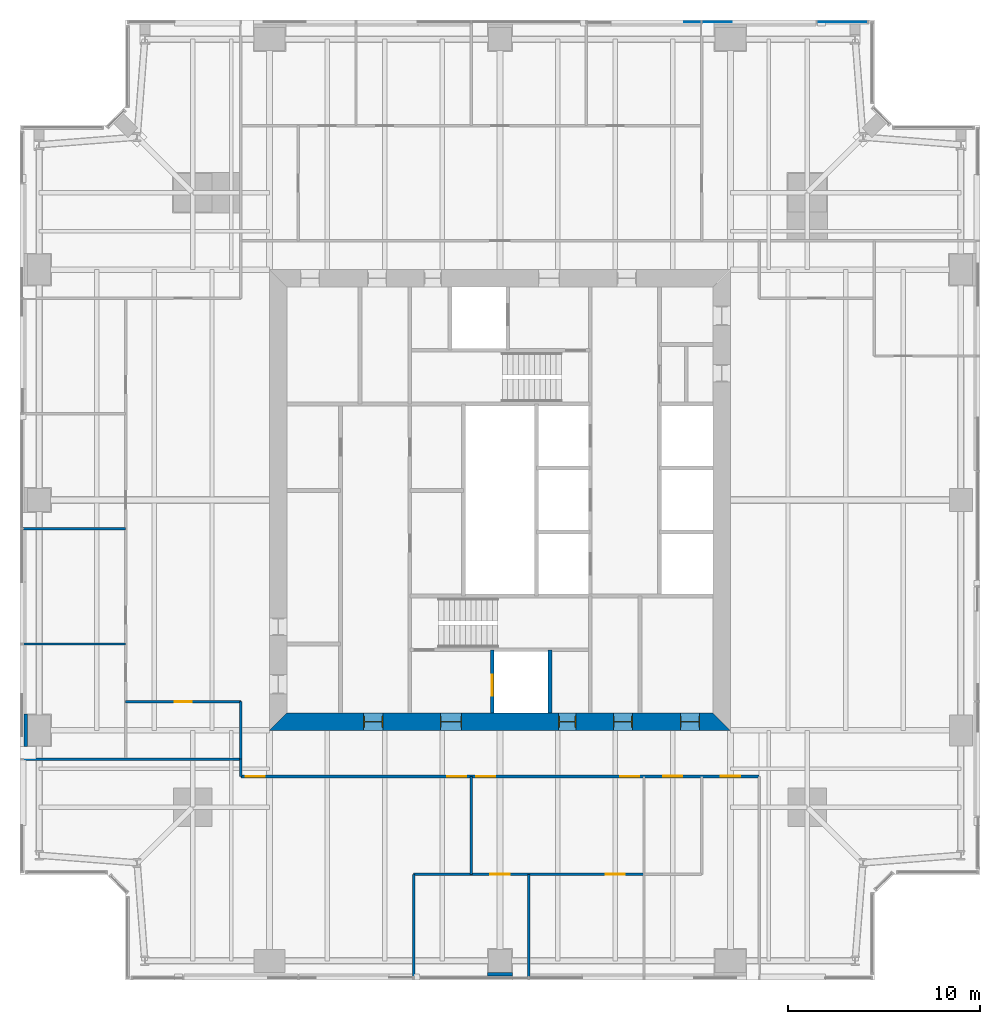
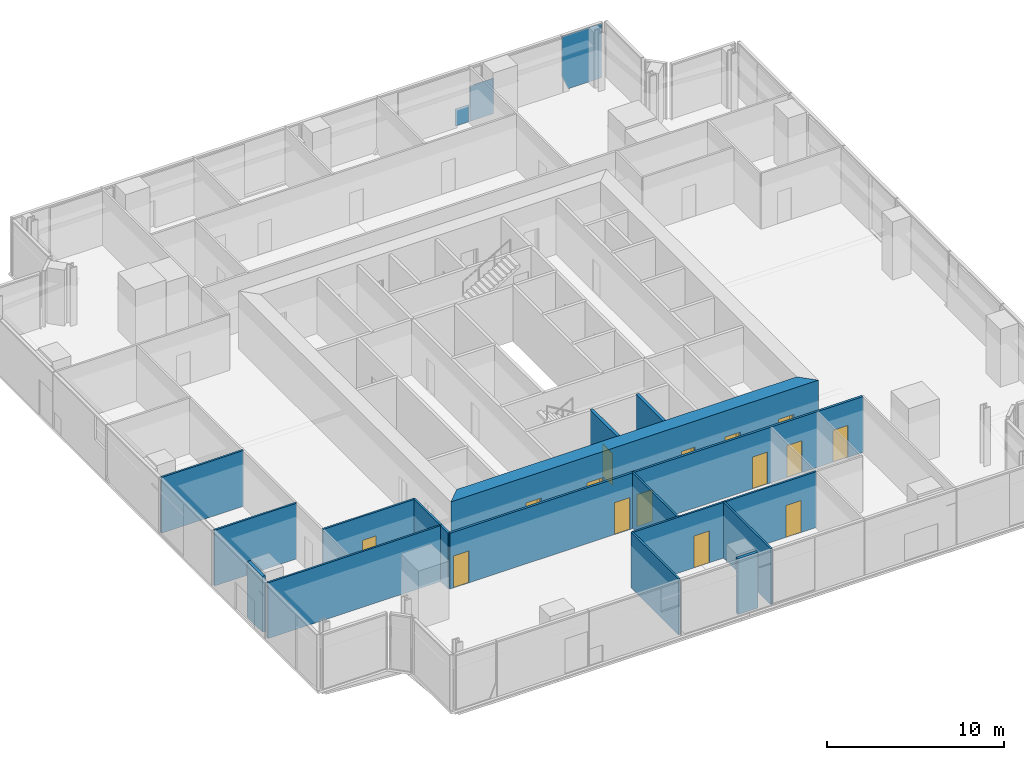
# One storey, part 9 of 14: 16 walls, 15 doors, 3 plates, 15 openings, 1 element without a shape of its own.
"""IFC4 building model written with IfcOpenShell, lengths in metres."""

from ifc_helpers import new_model, si_unit, direction, frame, frame_2d, origin, place, context, subcontext, project, spatial, polyline, rectangle, outline, extrude, material, layer, layer_set, type_object, element, fill, aggregate, save


model = new_model("IFC4")

# Units and contexts
model_context = context("Model", 3, precision=1e-05, world=origin(), true_north=direction((0.0, 1.0)))
body_context = subcontext(model_context, "Body", "Model", "MODEL_VIEW")
ifc_project = project(units=[si_unit("LENGTHUNIT", "METRE"), si_unit("AREAUNIT", "SQUARE_METRE"), si_unit("VOLUMEUNIT", "CUBIC_METRE"), si_unit("PLANEANGLEUNIT", "RADIAN"), si_unit("MASSUNIT", "GRAM", prefix="KILO")], contexts=[model_context])

# Site, building, storey
site_placement = place(None, origin())
site = spatial("IfcSite", under=ifc_project, at=site_placement, CompositionType="ELEMENT")
building_placement = place(site_placement, origin())
building = spatial("IfcBuilding", under=site, at=building_placement, Name="Fenwick Lantern Interchange", CompositionType="ELEMENT")
storey_placement = place(building_placement, frame((0.0, 0.0, 193.800048828125)))
storey = spatial("IfcBuildingStorey", under=building, at=storey_placement, Name="L45", CompositionType="ELEMENT", Elevation=193.800048828125)

# Curtain wall, plates
ifc_material_1 = material(Name="Aluminium curtain wall frame", Category="aluminium")
curtain_wall_type = type_object("IfcCurtainWallType", Name="OFFICE CURTAIN WALL", PredefinedType="USERDEFINED", material=ifc_material_1)
curtain_wall_placement = place(storey_placement, origin())
curtain_wall = element("IfcCurtainWall", 1, at=curtain_wall_placement, inside=storey, type_object=curtain_wall_type, Name="Office curtain wall 09", ObjectType="OFFICE CURTAIN WALL", PredefinedType="USERDEFINED")
ifc_material_2 = material(Name="Vision glass, clear low-iron double glazed", Category="glass")
ifc_layer_1 = layer(ifc_material_2, 0.031982421875)
ifc_layer_set_1 = layer_set([ifc_layer_1], Name="OFFICE CURTAIN WALL PANEL 32")
plate_type = type_object("IfcPlateType", Name="OFFICE CURTAIN WALL PANEL 32", PredefinedType="CURTAIN_PANEL", material=ifc_layer_set_1)
plate_1_placement = place(storey_placement, frame((44.39990234375, 49.89990234375, 0.0), z_axis=(0.0, 0.0, 1.0), x_axis=(-1.0, 0.0, 0.0)))
plate_1 = element("IfcPlate", 2, at=plate_1_placement, type_object=plate_type, Name="L45/CW/09/P00a", PredefinedType="CURTAIN_PANEL", context=body_context, shape_type="SweptSolid", body=[
    extrude(outline(polyline([(0.264892578125, 0.0), (2.453369140625, 0.0), (2.867431640625, 1.01953125), (2.867431640625, 3.75), (0.264892578125, 3.75), (0.264892578125, 0.0)])), frame((0.0, 0.01611328125, 0.0), z_axis=(0.0, -1.0, 0.0), x_axis=(1.0, 0.0, 0.0)), (0.0, 0.0, 1.0), 0.031982421875),
])
plate_2_placement = place(storey_placement, frame((44.39990234375, 49.89990234375, 0.0), z_axis=(0.0, 0.0, 1.0), x_axis=(-1.0, 0.0, 0.0)))
plate_2 = element("IfcPlate", 3, at=plate_2_placement, type_object=plate_type, Name="L45/CW/09/P01a", PredefinedType="CURTAIN_PANEL", context=body_context, shape_type="SweptSolid", body=[
    extrude(outline(polyline([(7.3291015625, 0.0), (8.867431640625, 0.0), (8.867431640625, 2.436767578125), (7.3291015625, 2.436767578125), (7.3291015625, 0.0)])), frame((0.0, 0.01611328125, 0.0), z_axis=(0.0, -1.0, 0.0), x_axis=(1.0, 0.0, 0.0)), (0.0, 0.0, 1.0), 0.031982421875),
])
plate_3_placement = place(storey_placement, frame((44.39990234375, 49.89990234375, 0.0), z_axis=(0.0, 0.0, 1.0), x_axis=(-1.0, 0.0, 0.0)))
plate_3 = element("IfcPlate", 4, at=plate_3_placement, type_object=plate_type, Name="L45/CW/09/P02a", PredefinedType="CURTAIN_PANEL", context=body_context, shape_type="SweptSolid", body=[
    extrude(outline(polyline([(8.9326171875, 0.0), (9.8125, 0.0), (9.8125, 1.17724609375), (8.9326171875, 1.17724609375), (8.9326171875, 0.0)])), frame((0.0, 0.01611328125, 0.0), z_axis=(0.0, -1.0, 0.0), x_axis=(1.0, 0.0, 0.0)), (0.0, 0.0, 1.0), 0.031982421875),
])
aggregate(curtain_wall, [plate_1, plate_2, plate_3])

# Walls
ifc_material_3 = material(Name="Fire-rated gypsum board encasement on steel studs, 2 hour", Category="steel")
ifc_layer_2 = layer(ifc_material_3, 1.300048828125)
ifc_layer_set_2 = layer_set([ifc_layer_2], Name="COLUMN PIER 1300")
wall_type_1 = type_object("IfcWallType", Name="COLUMN PIER 1300", PredefinedType="PARTITIONING", material=ifc_layer_set_2)
wall_1_placement = place(storey_placement, frame((25.0, 0.199951171875, 0.0), z_axis=(0.0, 0.0, 1.0), x_axis=(0.0, 1.0, 0.0)))
element("IfcWall", 5, at=wall_1_placement, inside=storey, type_object=wall_type_1, Name="L45/W/PIER/CS3", PredefinedType="PARTITIONING", context=body_context, shape_type="SweptSolid", body=[
    extrude(rectangle(XDim=0.199951171875, YDim=1.300048828125, at=frame_2d((0.10009765625, 0.0))), origin(), (0.0, 0.0, 1.0), 3.849853515625),
])
ifc_layer_3 = layer(ifc_material_3, 1.699951171875)
ifc_layer_set_3 = layer_set([ifc_layer_3], Name="COLUMN PIER 1700")
wall_type_2 = type_object("IfcWallType", Name="COLUMN PIER 1700", PredefinedType="PARTITIONING", material=ifc_layer_set_3)
wall_2_placement = place(storey_placement, frame((0.199951171875, 13.0, 0.0), z_axis=(0.0, 0.0, 1.0), x_axis=(1.0, 0.0, 0.0)))
element("IfcWall", 6, at=wall_2_placement, inside=storey, type_object=wall_type_2, Name="L45/W/PIER/CW4", PredefinedType="PARTITIONING", context=body_context, shape_type="SweptSolid", body=[
    extrude(rectangle(XDim=0.199951171875, YDim=1.699951171875, at=frame_2d((0.10009765625, 0.0))), origin(), (0.0, 0.0, 1.0), 3.849853515625),
])

# Wall, opening, door
ifc_material_4 = material(Name="Concrete masonry ASTM C90 Grade N", Category="masonry")
ifc_layer_4 = layer(ifc_material_4, 0.199951171875)
ifc_layer_set_4 = layer_set([ifc_layer_4], Name="Concrete masonry ASTM C90 Grade N")
wall_type_3 = type_object("IfcWallType", Name="CORE PARTITION 200", PredefinedType="PARTITIONING", material=ifc_layer_set_4)
wall_3_placement = place(storey_placement, frame((24.60009765625, 13.89990234375, 0.0), z_axis=(0.0, 0.0, 1.0), x_axis=(0.0, 1.0, 0.0)))
wall_3 = element("IfcWall", 7, at=wall_3_placement, inside=storey, type_object=wall_type_3, Name="L45/W/CORES/h1", PredefinedType="PARTITIONING", context=body_context, shape_type="SweptSolid", body=[
    extrude(rectangle(XDim=3.300048828125, YDim=0.199951171875, at=frame_2d((1.64990234375, 0.0))), origin(), (0.0, 0.0, 1.0), 3.800048828125),
])
opening_1_placement = place(wall_3_placement, frame((0.89990234375, 0.0, 0.0)))
opening_1 = element("IfcOpeningElement", 8, at=opening_1_placement, cuts=wall_3, Name="Opening LD-FL1", PredefinedType="OPENING", context=body_context, shape_type="SweptSolid", body=[
    extrude(rectangle(XDim=1.10009765625, YDim=2.199951171875, at=frame_2d((0.550048828125, 1.10009765625))), frame((0.0, 0.10986328125, 0.0), z_axis=(0.0, -1.0, 0.0), x_axis=(1.0, 0.0, 0.0)), (0.0, 0.0, 1.0), 0.219970703125),
])
ifc_material_5 = material(Name="Steel door and frame", Category="steel")
door_type_1 = type_object("IfcDoorType", Name="LIFT LANDING DOOR 1100 X 2200", OperationType="DOUBLE_DOOR_SLIDING", PredefinedType="DOOR", material=ifc_material_5)
door_1_placement = place(opening_1_placement, origin())
door_1 = element("IfcDoor", 9, at=door_1_placement, inside=storey, type_object=door_type_1, Name="Lift landing door FL1", OperationType="DOUBLE_DOOR_SLIDING", OverallHeight=2.199951171875, OverallWidth=1.10009765625, PredefinedType="DOOR", context=body_context, shape_type="SweptSolid", body=[
    extrude(rectangle(XDim=1.10009765625, YDim=2.199951171875, at=frame_2d((0.550048828125, 1.10009765625))), frame((0.0, 0.02490234375, 0.0), z_axis=(0.0, -1.0, 0.0), x_axis=(1.0, 0.0, 0.0)), (0.0, 0.0, 1.0), 0.050048828125),
])
fill(opening_1, door_1)

# Wall
wall_4_placement = place(storey_placement, frame((27.60009765625, 13.89990234375, 0.0), z_axis=(0.0, 0.0, 1.0), x_axis=(0.0, 1.0, 0.0)))
element("IfcWall", 10, at=wall_4_placement, inside=storey, type_object=wall_type_3, Name="L45/W/CORES/h2", PredefinedType="PARTITIONING", context=body_context, shape_type="SweptSolid", body=[
    extrude(rectangle(XDim=3.300048828125, YDim=0.199951171875, at=frame_2d((1.64990234375, 0.0))), origin(), (0.0, 0.0, 1.0), 3.800048828125),
])

# Wall, openings, doors
ifc_material_6 = material(Name="Concrete f'c 70 MPa", Category="concrete")
ifc_layer_5 = layer(ifc_material_6, 0.89990234375)
ifc_layer_set_5 = layer_set([ifc_layer_5], Name="CORE WALL 900")
wall_type_4 = type_object("IfcWallType", Name="CORE WALL 900", PredefinedType="SHEAR", material=ifc_layer_set_5)
wall_5_placement = place(storey_placement, frame((13.0, 13.449951171875, 0.0), z_axis=(0.0, 0.0, 1.0), x_axis=(1.0, 0.0, 0.0)))
wall_5 = element("IfcWall", 11, at=wall_5_placement, inside=storey, type_object=wall_type_4, Name="L45/CORE/S", PredefinedType="SHEAR", context=body_context, shape_type="SweptSolid", body=[
    extrude(outline(polyline([(0.0, -0.449951171875), (24.0, -0.449951171875), (23.10009765625, 0.449951171875), (0.89990234375, 0.449951171875), (0.0, -0.449951171875)])), origin(), (0.0, 0.0, 1.0), 4.0),
])
opening_2_placement = place(wall_5_placement, frame((4.89990234375, 0.0, 0.0)))
opening_2 = element("IfcOpeningElement", 12, at=opening_2_placement, cuts=wall_5, Name="Opening L45-D001", PredefinedType="OPENING", context=body_context, shape_type="SweptSolid", body=[
    extrude(rectangle(XDim=1.0, YDim=2.199951171875, at=frame_2d((0.5, 1.10009765625))), frame((0.0, 0.4599609375, 0.0), z_axis=(0.0, -1.0, 0.0), x_axis=(1.0, 0.0, 0.0)), (0.0, 0.0, 1.0), 0.919921875),
])
opening_3_placement = place(wall_5_placement, frame((8.89990234375, 0.0, 0.0)))
opening_3 = element("IfcOpeningElement", 13, at=opening_3_placement, cuts=wall_5, Name="Opening L45-D002", PredefinedType="OPENING", context=body_context, shape_type="SweptSolid", body=[
    extrude(rectangle(XDim=1.10009765625, YDim=2.199951171875, at=frame_2d((0.550048828125, 1.10009765625))), frame((0.0, 0.4599609375, 0.0), z_axis=(0.0, -1.0, 0.0), x_axis=(1.0, 0.0, 0.0)), (0.0, 0.0, 1.0), 0.919921875),
])
opening_4_placement = place(wall_5_placement, frame((15.050048828125, 0.0, 0.0)))
opening_4 = element("IfcOpeningElement", 14, at=opening_4_placement, cuts=wall_5, Name="Opening L45-D004", PredefinedType="OPENING", context=body_context, shape_type="SweptSolid", body=[
    extrude(rectangle(XDim=0.89990234375, YDim=2.199951171875, at=frame_2d((0.449951171875, 1.10009765625))), frame((0.0, 0.4599609375, 0.0), z_axis=(0.0, -1.0, 0.0), x_axis=(1.0, 0.0, 0.0)), (0.0, 0.0, 1.0), 0.919921875),
])
opening_5_placement = place(wall_5_placement, frame((17.89990234375, 0.0, 0.0)))
opening_5 = element("IfcOpeningElement", 15, at=opening_5_placement, cuts=wall_5, Name="Opening L45-D005", PredefinedType="OPENING", context=body_context, shape_type="SweptSolid", body=[
    extrude(rectangle(XDim=1.0, YDim=2.199951171875, at=frame_2d((0.5, 1.10009765625))), frame((0.0, 0.4599609375, 0.0), z_axis=(0.0, -1.0, 0.0), x_axis=(1.0, 0.0, 0.0)), (0.0, 0.0, 1.0), 0.919921875),
])
opening_6_placement = place(wall_5_placement, frame((21.39990234375, 0.0, 0.0)))
opening_6 = element("IfcOpeningElement", 16, at=opening_6_placement, cuts=wall_5, Name="Opening L45-D006", PredefinedType="OPENING", context=body_context, shape_type="SweptSolid", body=[
    extrude(rectangle(XDim=1.0, YDim=2.199951171875, at=frame_2d((0.5, 1.10009765625))), frame((0.0, 0.4599609375, 0.0), z_axis=(0.0, -1.0, 0.0), x_axis=(1.0, 0.0, 0.0)), (0.0, 0.0, 1.0), 0.919921875),
])
door_type_2 = type_object("IfcDoorType", Name="CORE LOBBY DOOR 1000 X 2200", OperationType="SINGLE_SWING_LEFT", PredefinedType="DOOR", material=ifc_material_5)
door_2_placement = place(opening_2_placement, origin())
door_2 = element("IfcDoor", 17, at=door_2_placement, inside=storey, type_object=door_type_2, Name="Core lobby door", OperationType="SINGLE_SWING_LEFT", OverallHeight=2.199951171875, OverallWidth=1.0, PredefinedType="DOOR", context=body_context, shape_type="SweptSolid", body=[
    extrude(rectangle(XDim=1.0, YDim=2.199951171875, at=frame_2d((0.5, 1.10009765625))), frame((0.0, 0.02490234375, 0.0), z_axis=(0.0, -1.0, 0.0), x_axis=(1.0, 0.0, 0.0)), (0.0, 0.0, 1.0), 0.050048828125),
    extrude(outline(polyline([(0.0, 0.0), (0.0400390625, 0.0), (0.0400390625, 2.159912109375), (0.9599609375, 2.159912109375), (0.9599609375, 0.0), (1.0, 0.0), (1.0, 2.199951171875), (0.0, 2.199951171875), (0.0, 0.0)])), frame((0.0, 0.300048828125, 0.0), z_axis=(0.0, -1.0, 0.0), x_axis=(1.0, 0.0, 0.0)), (0.0, 0.0, 1.0), 0.60009765625),
])
fill(opening_2, door_2)
door_type_3 = type_object("IfcDoorType", Name="FIRE LOBBY DOOR 1100 X 2200", OperationType="SINGLE_SWING_LEFT", PredefinedType="DOOR", material=ifc_material_5)
door_3_placement = place(opening_3_placement, origin())
door_3 = element("IfcDoor", 18, at=door_3_placement, inside=storey, type_object=door_type_3, Name="Fire lobby door", OperationType="SINGLE_SWING_LEFT", OverallHeight=2.199951171875, OverallWidth=1.10009765625, PredefinedType="DOOR", context=body_context, shape_type="SweptSolid", body=[
    extrude(rectangle(XDim=1.10009765625, YDim=2.199951171875, at=frame_2d((0.550048828125, 1.10009765625))), frame((0.0, 0.02490234375, 0.0), z_axis=(0.0, -1.0, 0.0), x_axis=(1.0, 0.0, 0.0)), (0.0, 0.0, 1.0), 0.050048828125),
    extrude(outline(polyline([(0.0, 0.0), (0.0400390625, 0.0), (0.0400390625, 2.159912109375), (1.06005859375, 2.159912109375), (1.06005859375, 0.0), (1.10009765625, 0.0), (1.10009765625, 2.199951171875), (0.0, 2.199951171875), (0.0, 0.0)])), frame((0.0, 0.300048828125, 0.0), z_axis=(0.0, -1.0, 0.0), x_axis=(1.0, 0.0, 0.0)), (0.0, 0.0, 1.0), 0.60009765625),
])
fill(opening_3, door_3)
door_type_4 = type_object("IfcDoorType", Name="SERVICE DOOR 900 X 2200", OperationType="SINGLE_SWING_LEFT", PredefinedType="DOOR", material=ifc_material_5)
door_4_placement = place(opening_4_placement, origin())
door_4 = element("IfcDoor", 19, at=door_4_placement, inside=storey, type_object=door_type_4, Name="Service door", OperationType="SINGLE_SWING_LEFT", OverallHeight=2.199951171875, OverallWidth=0.89990234375, PredefinedType="DOOR", context=body_context, shape_type="SweptSolid", body=[
    extrude(rectangle(XDim=0.89990234375, YDim=2.199951171875, at=frame_2d((0.449951171875, 1.10009765625))), frame((0.0, 0.02490234375, 0.0), z_axis=(0.0, -1.0, 0.0), x_axis=(1.0, 0.0, 0.0)), (0.0, 0.0, 1.0), 0.050048828125),
    extrude(outline(polyline([(0.0, 0.0), (0.0400390625, 0.0), (0.0400390625, 2.159912109375), (0.85986328125, 2.159912109375), (0.85986328125, 0.0), (0.89990234375, 0.0), (0.89990234375, 2.199951171875), (0.0, 2.199951171875), (0.0, 0.0)])), frame((0.0, 0.300048828125, 0.0), z_axis=(0.0, -1.0, 0.0), x_axis=(1.0, 0.0, 0.0)), (0.0, 0.0, 1.0), 0.60009765625),
])
fill(opening_4, door_4)
ifc_material_7 = material(Name="Hardwood door and steel frame", Category="steel")
door_type_5 = type_object("IfcDoorType", Name="WC DOOR 1000 X 2200", OperationType="SINGLE_SWING_LEFT", PredefinedType="DOOR", material=ifc_material_7)
door_5_placement = place(opening_5_placement, origin())
door_5 = element("IfcDoor", 20, at=door_5_placement, inside=storey, type_object=door_type_5, Name="Wc door", OperationType="SINGLE_SWING_RIGHT", OverallHeight=2.199951171875, OverallWidth=1.0, PredefinedType="DOOR", context=body_context, shape_type="SweptSolid", body=[
    extrude(rectangle(XDim=1.0, YDim=2.199951171875, at=frame_2d((0.5, 1.10009765625))), frame((0.0, 0.02490234375, 0.0), z_axis=(0.0, -1.0, 0.0), x_axis=(1.0, 0.0, 0.0)), (0.0, 0.0, 1.0), 0.050048828125),
    extrude(outline(polyline([(0.0, 0.0), (0.0400390625, 0.0), (0.0400390625, 2.159912109375), (0.9599609375, 2.159912109375), (0.9599609375, 0.0), (1.0, 0.0), (1.0, 2.199951171875), (0.0, 2.199951171875), (0.0, 0.0)])), frame((0.0, 0.300048828125, 0.0), z_axis=(0.0, -1.0, 0.0), x_axis=(1.0, 0.0, 0.0)), (0.0, 0.0, 1.0), 0.60009765625),
])
fill(opening_5, door_5)
door_6_placement = place(opening_6_placement, origin())
door_6 = element("IfcDoor", 21, at=door_6_placement, inside=storey, type_object=door_type_5, Name="Wc door", OperationType="SINGLE_SWING_RIGHT", OverallHeight=2.199951171875, OverallWidth=1.0, PredefinedType="DOOR", context=body_context, shape_type="SweptSolid", body=[
    extrude(rectangle(XDim=1.0, YDim=2.199951171875, at=frame_2d((0.5, 1.10009765625))), frame((0.0, 0.02490234375, 0.0), z_axis=(0.0, -1.0, 0.0), x_axis=(1.0, 0.0, 0.0)), (0.0, 0.0, 1.0), 0.050048828125),
    extrude(outline(polyline([(0.0, 0.0), (0.0400390625, 0.0), (0.0400390625, 2.159912109375), (0.9599609375, 2.159912109375), (0.9599609375, 0.0), (1.0, 0.0), (1.0, 2.199951171875), (0.0, 2.199951171875), (0.0, 0.0)])), frame((0.0, 0.300048828125, 0.0), z_axis=(0.0, -1.0, 0.0), x_axis=(1.0, 0.0, 0.0)), (0.0, 0.0, 1.0), 0.60009765625),
])
fill(opening_6, door_6)

# Wall
ifc_material_8 = material(Name="Gypsum board on steel studs, 1 hour", Category="steel")
ifc_layer_6 = layer(ifc_material_8, 0.14990234375)
ifc_layer_set_6 = layer_set([ifc_layer_6], Name="CORRIDOR WALL 150")
wall_type_5 = type_object("IfcWallType", Name="CORRIDOR WALL 150", PredefinedType="PARTITIONING", material=ifc_layer_set_6)
wall_6_placement = place(storey_placement, frame((11.5, 11.5, 0.0), z_axis=(0.0, 0.0, 1.0), x_axis=(0.0, -1.0, 0.0)))
element("IfcWall", 22, at=wall_6_placement, inside=storey, type_object=wall_type_5, Name="L45/W/OFF/S/CWJ", PredefinedType="PARTITIONING", context=body_context, shape_type="SweptSolid", body=[
    extrude(rectangle(XDim=0.89990234375, YDim=0.14990234375, at=frame_2d((0.449951171875, 0.0))), origin(), (0.0, 0.0, 1.0), 3.849853515625),
])

# Wall, openings, doors
wall_7_placement = place(storey_placement, frame((11.5, 10.60009765625, 0.0), z_axis=(0.0, 0.0, 1.0), x_axis=(1.0, 0.0, 0.0)))
wall_7 = element("IfcWall", 23, at=wall_7_placement, inside=storey, type_object=wall_type_5, Name="L45/W/OFF/S/CW2", PredefinedType="PARTITIONING", context=body_context, shape_type="SweptSolid", body=[
    extrude(rectangle(XDim=27.0, YDim=0.14990234375, at=frame_2d((13.5, 0.0))), origin(), (0.0, 0.0, 1.0), 3.849853515625),
])
opening_7_placement = place(wall_7_placement, frame((12.25, 0.0, 0.0)))
opening_7 = element("IfcOpeningElement", 24, at=opening_7_placement, cuts=wall_7, Name="Opening L45-D021", PredefinedType="OPENING", context=body_context, shape_type="SweptSolid", body=[
    extrude(rectangle(XDim=1.0, YDim=2.199951171875, at=frame_2d((0.5, 1.10009765625))), frame((0.0, 0.0849609375, 0.0), z_axis=(0.0, -1.0, 0.0), x_axis=(1.0, 0.0, 0.0)), (0.0, 0.0, 1.0), 0.169921875),
])
opening_8_placement = place(wall_7_placement, frame((19.75, 0.0, 0.0)))
opening_8 = element("IfcOpeningElement", 25, at=opening_8_placement, cuts=wall_7, Name="Opening L45-D022", PredefinedType="OPENING", context=body_context, shape_type="SweptSolid", body=[
    extrude(rectangle(XDim=1.0, YDim=2.199951171875, at=frame_2d((0.5, 1.10009765625))), frame((0.0, 0.0849609375, 0.0), z_axis=(0.0, -1.0, 0.0), x_axis=(1.0, 0.0, 0.0)), (0.0, 0.0, 1.0), 0.169921875),
])
opening_9_placement = place(wall_7_placement, frame((0.25, 0.0, 0.0)))
opening_9 = element("IfcOpeningElement", 26, at=opening_9_placement, cuts=wall_7, Name="Opening L45-D025", PredefinedType="OPENING", context=body_context, shape_type="SweptSolid", body=[
    extrude(rectangle(XDim=1.0, YDim=2.199951171875, at=frame_2d((0.5, 1.10009765625))), frame((0.0, 0.0849609375, 0.0), z_axis=(0.0, -1.0, 0.0), x_axis=(1.0, 0.0, 0.0)), (0.0, 0.0, 1.0), 0.169921875),
])
opening_10_placement = place(wall_7_placement, frame((10.75, 0.0, 0.0)))
opening_10 = element("IfcOpeningElement", 27, at=opening_10_placement, cuts=wall_7, Name="Opening L45-D026", PredefinedType="OPENING", context=body_context, shape_type="SweptSolid", body=[
    extrude(rectangle(XDim=1.0, YDim=2.199951171875, at=frame_2d((0.5, 1.10009765625))), frame((0.0, 0.0849609375, 0.0), z_axis=(0.0, -1.0, 0.0), x_axis=(1.0, 0.0, 0.0)), (0.0, 0.0, 1.0), 0.169921875),
])
opening_11_placement = place(wall_7_placement, frame((22.0, 0.0, 0.0)))
opening_11 = element("IfcOpeningElement", 28, at=opening_11_placement, cuts=wall_7, Name="Opening L45-D027", PredefinedType="OPENING", context=body_context, shape_type="SweptSolid", body=[
    extrude(rectangle(XDim=1.0, YDim=2.199951171875, at=frame_2d((0.5, 1.10009765625))), frame((0.0, 0.0849609375, 0.0), z_axis=(0.0, -1.0, 0.0), x_axis=(1.0, 0.0, 0.0)), (0.0, 0.0, 1.0), 0.169921875),
])
opening_12_placement = place(wall_7_placement, frame((25.0, 0.0, 0.0)))
opening_12 = element("IfcOpeningElement", 29, at=opening_12_placement, cuts=wall_7, Name="Opening L45-D028", PredefinedType="OPENING", context=body_context, shape_type="SweptSolid", body=[
    extrude(rectangle(XDim=1.0, YDim=2.199951171875, at=frame_2d((0.5, 1.10009765625))), frame((0.0, 0.0849609375, 0.0), z_axis=(0.0, -1.0, 0.0), x_axis=(1.0, 0.0, 0.0)), (0.0, 0.0, 1.0), 0.169921875),
])
door_type_6 = type_object("IfcDoorType", Name="SUITE ENTRANCE DOOR 1000 X 2200", OperationType="SINGLE_SWING_LEFT", PredefinedType="DOOR", material=ifc_material_5)
door_7_placement = place(opening_7_placement, origin())
door_7 = element("IfcDoor", 30, at=door_7_placement, inside=storey, type_object=door_type_6, Name="Suite entrance door", OperationType="SINGLE_SWING_LEFT", OverallHeight=2.199951171875, OverallWidth=1.0, PredefinedType="DOOR", context=body_context, shape_type="SweptSolid", body=[
    extrude(rectangle(XDim=1.0, YDim=2.199951171875, at=frame_2d((0.5, 1.10009765625))), frame((0.0, 0.02490234375, 0.0), z_axis=(0.0, -1.0, 0.0), x_axis=(1.0, 0.0, 0.0)), (0.0, 0.0, 1.0), 0.050048828125),
])
fill(opening_7, door_7)
door_8_placement = place(opening_8_placement, origin())
door_8 = element("IfcDoor", 31, at=door_8_placement, inside=storey, type_object=door_type_6, Name="Suite entrance door", OperationType="SINGLE_SWING_RIGHT", OverallHeight=2.199951171875, OverallWidth=1.0, PredefinedType="DOOR", context=body_context, shape_type="SweptSolid", body=[
    extrude(rectangle(XDim=1.0, YDim=2.199951171875, at=frame_2d((0.5, 1.10009765625))), frame((0.0, 0.02490234375, 0.0), z_axis=(0.0, -1.0, 0.0), x_axis=(1.0, 0.0, 0.0)), (0.0, 0.0, 1.0), 0.050048828125),
])
fill(opening_8, door_8)
door_9_placement = place(opening_9_placement, origin())
door_9 = element("IfcDoor", 32, at=door_9_placement, inside=storey, type_object=door_type_6, Name="Suite entrance door", OperationType="SINGLE_SWING_LEFT", OverallHeight=2.199951171875, OverallWidth=1.0, PredefinedType="DOOR", context=body_context, shape_type="SweptSolid", body=[
    extrude(rectangle(XDim=1.0, YDim=2.199951171875, at=frame_2d((0.5, 1.10009765625))), frame((0.0, 0.02490234375, 0.0), z_axis=(0.0, -1.0, 0.0), x_axis=(1.0, 0.0, 0.0)), (0.0, 0.0, 1.0), 0.050048828125),
])
fill(opening_9, door_9)
door_10_placement = place(opening_10_placement, origin())
door_10 = element("IfcDoor", 33, at=door_10_placement, inside=storey, type_object=door_type_6, Name="Suite entrance door", OperationType="SINGLE_SWING_LEFT", OverallHeight=2.199951171875, OverallWidth=1.0, PredefinedType="DOOR", context=body_context, shape_type="SweptSolid", body=[
    extrude(rectangle(XDim=1.0, YDim=2.199951171875, at=frame_2d((0.5, 1.10009765625))), frame((0.0, 0.02490234375, 0.0), z_axis=(0.0, -1.0, 0.0), x_axis=(1.0, 0.0, 0.0)), (0.0, 0.0, 1.0), 0.050048828125),
])
fill(opening_10, door_10)
door_11_placement = place(opening_11_placement, frame((1.0, 0.0, 0.0), z_axis=(0.0, 0.0, 1.0), x_axis=(-1.0, 0.0, 0.0)))
door_11 = element("IfcDoor", 34, at=door_11_placement, inside=storey, type_object=door_type_6, Name="Suite entrance door", OperationType="SINGLE_SWING_RIGHT", OverallHeight=2.199951171875, OverallWidth=1.0, PredefinedType="DOOR", context=body_context, shape_type="SweptSolid", body=[
    extrude(rectangle(XDim=1.0, YDim=2.199951171875, at=frame_2d((0.5, 1.10009765625))), frame((0.0, 0.02490234375, 0.0), z_axis=(0.0, -1.0, 0.0), x_axis=(1.0, 0.0, 0.0)), (0.0, 0.0, 1.0), 0.050048828125),
])
fill(opening_11, door_11)
door_12_placement = place(opening_12_placement, frame((1.0, 0.0, 0.0), z_axis=(0.0, 0.0, 1.0), x_axis=(-1.0, 0.0, 0.0)))
door_12 = element("IfcDoor", 35, at=door_12_placement, inside=storey, type_object=door_type_6, Name="Suite entrance door", OperationType="SINGLE_SWING_RIGHT", OverallHeight=2.199951171875, OverallWidth=1.0, PredefinedType="DOOR", context=body_context, shape_type="SweptSolid", body=[
    extrude(rectangle(XDim=1.0, YDim=2.199951171875, at=frame_2d((0.5, 1.10009765625))), frame((0.0, 0.02490234375, 0.0), z_axis=(0.0, -1.0, 0.0), x_axis=(1.0, 0.0, 0.0)), (0.0, 0.0, 1.0), 0.050048828125),
])
fill(opening_12, door_12)

# Walls
ifc_material_9 = material(Name="Gypsum board on steel studs, acoustic", Category="steel")
ifc_layer_7 = layer(ifc_material_9, 0.125)
ifc_layer_set_7 = layer_set([ifc_layer_7], Name="OFFICE PARTITION 125")
wall_type_6 = type_object("IfcWallType", Name="OFFICE PARTITION 125", PredefinedType="PARTITIONING", material=ifc_layer_set_7)
wall_8_placement = place(storey_placement, frame((0.14990234375, 11.5, 0.0), z_axis=(0.0, 0.0, 1.0), x_axis=(1.0, 0.0, 0.0)))
element("IfcWall", 36, at=wall_8_placement, inside=storey, type_object=wall_type_6, Name="L45/W/OFF/S/BACK", PredefinedType="PARTITIONING", context=body_context, shape_type="SweptSolid", body=[
    extrude(rectangle(XDim=11.35009765625, YDim=0.125, at=frame_2d((5.675048828125, 0.0))), origin(), (0.0, 0.0, 1.0), 3.849853515625),
])
wall_9_placement = place(storey_placement, frame((20.5, 0.14990234375, 0.0), z_axis=(0.0, 0.0, 1.0), x_axis=(0.0, 1.0, 0.0)))
element("IfcWall", 37, at=wall_9_placement, inside=storey, type_object=wall_type_6, Name="L45/W/OFF/S/X205-1", PredefinedType="PARTITIONING", context=body_context, shape_type="SweptSolid", body=[
    extrude(rectangle(XDim=5.35009765625, YDim=0.125, at=frame_2d((2.675048828125, 0.0))), origin(), (0.0, 0.0, 1.0), 3.849853515625),
])
wall_10_placement = place(storey_placement, frame((23.5, 5.5, 0.0), z_axis=(0.0, 0.0, 1.0), x_axis=(0.0, 1.0, 0.0)))
element("IfcWall", 38, at=wall_10_placement, inside=storey, type_object=wall_type_6, Name="L45/W/OFF/S/X235-1", PredefinedType="PARTITIONING", context=body_context, shape_type="SweptSolid", body=[
    extrude(rectangle(XDim=5.10009765625, YDim=0.125, at=frame_2d((2.550048828125, 0.0))), origin(), (0.0, 0.0, 1.0), 3.849853515625),
])
wall_11_placement = place(storey_placement, frame((26.5, 0.14990234375, 0.0), z_axis=(0.0, 0.0, 1.0), x_axis=(0.0, 1.0, 0.0)))
element("IfcWall", 39, at=wall_11_placement, inside=storey, type_object=wall_type_6, Name="L45/W/OFF/S/X265-1", PredefinedType="PARTITIONING", context=body_context, shape_type="SweptSolid", body=[
    extrude(rectangle(XDim=5.35009765625, YDim=0.125, at=frame_2d((2.675048828125, 0.0))), origin(), (0.0, 0.0, 1.0), 3.849853515625),
])

# Wall, openings, doors
wall_12_placement = place(storey_placement, frame((20.5, 5.5, 0.0), z_axis=(0.0, 0.0, 1.0), x_axis=(1.0, 0.0, 0.0)))
wall_12 = element("IfcWall", 40, at=wall_12_placement, inside=storey, type_object=wall_type_6, Name="L45/W/OFF/S/Y55-1", PredefinedType="PARTITIONING", context=body_context, shape_type="SweptSolid", body=[
    extrude(rectangle(XDim=12.0, YDim=0.125, at=frame_2d((6.0, 0.0))), origin(), (0.0, 0.0, 1.0), 3.849853515625),
])
opening_13_placement = place(wall_12_placement, frame((4.0, 0.0, 0.0)))
opening_13 = element("IfcOpeningElement", 41, at=opening_13_placement, cuts=wall_12, Name="Opening L45-D023", PredefinedType="OPENING", context=body_context, shape_type="SweptSolid", body=[
    extrude(rectangle(XDim=1.0, YDim=2.199951171875, at=frame_2d((0.5, 1.10009765625))), frame((0.0, 0.072509765625, 0.0), z_axis=(0.0, -1.0, 0.0), x_axis=(1.0, 0.0, 0.0)), (0.0, 0.0, 1.0), 0.14501953125),
])
opening_14_placement = place(wall_12_placement, frame((10.0, 0.0, 0.0)))
opening_14 = element("IfcOpeningElement", 42, at=opening_14_placement, cuts=wall_12, Name="Opening L45-D024", PredefinedType="OPENING", context=body_context, shape_type="SweptSolid", body=[
    extrude(rectangle(XDim=1.0, YDim=2.199951171875, at=frame_2d((0.5, 1.10009765625))), frame((0.0, 0.072509765625, 0.0), z_axis=(0.0, -1.0, 0.0), x_axis=(1.0, 0.0, 0.0)), (0.0, 0.0, 1.0), 0.14501953125),
])
door_type_7 = type_object("IfcDoorType", Name="MEETING ROOM DOOR 1000 X 2200", OperationType="SINGLE_SWING_LEFT", PredefinedType="DOOR", material=ifc_material_7)
door_13_placement = place(opening_13_placement, frame((1.0, 0.0, 0.0), z_axis=(0.0, 0.0, 1.0), x_axis=(-1.0, 0.0, 0.0)))
door_13 = element("IfcDoor", 43, at=door_13_placement, inside=storey, type_object=door_type_7, Name="Meeting room door", OperationType="SINGLE_SWING_LEFT", OverallHeight=2.199951171875, OverallWidth=1.0, PredefinedType="DOOR", context=body_context, shape_type="SweptSolid", body=[
    extrude(rectangle(XDim=1.0, YDim=2.199951171875, at=frame_2d((0.5, 1.10009765625))), frame((0.0, 0.02490234375, 0.0), z_axis=(0.0, -1.0, 0.0), x_axis=(1.0, 0.0, 0.0)), (0.0, 0.0, 1.0), 0.050048828125),
])
fill(opening_13, door_13)
door_14_placement = place(opening_14_placement, frame((1.0, 0.0, 0.0), z_axis=(0.0, 0.0, 1.0), x_axis=(-1.0, 0.0, 0.0)))
door_14 = element("IfcDoor", 44, at=door_14_placement, inside=storey, type_object=door_type_7, Name="Meeting room door", OperationType="SINGLE_SWING_LEFT", OverallHeight=2.199951171875, OverallWidth=1.0, PredefinedType="DOOR", context=body_context, shape_type="SweptSolid", body=[
    extrude(rectangle(XDim=1.0, YDim=2.199951171875, at=frame_2d((0.5, 1.10009765625))), frame((0.0, 0.02490234375, 0.0), z_axis=(0.0, -1.0, 0.0), x_axis=(1.0, 0.0, 0.0)), (0.0, 0.0, 1.0), 0.050048828125),
])
fill(opening_14, door_14)

# Walls
for number, where, z_axis, x_axis, name in (
    (45, (0.14990234375, 23.5, 0.0), (0.0, 0.0, 1.0), (1.0, 0.0, 0.0), "L45/W/OFF/W/X265-1"),
    (46, (0.14990234375, 17.5, 0.0), (0.0, 0.0, 1.0), (1.0, 0.0, 0.0), "L45/W/OFF/W/X325-1"),
):
    element("IfcWall", number, at=place(storey_placement, frame(where, z_axis=z_axis, x_axis=x_axis)), inside=storey, type_object=wall_type_6, Name=name, PredefinedType="PARTITIONING", context=body_context, shape_type="SweptSolid", body=[
        extrude(rectangle(XDim=5.35009765625, YDim=0.125, at=frame_2d((2.675048828125, 0.0))), origin(), (0.0, 0.0, 1.0), 3.849853515625),
    ])

# Wall, opening, door
wall_13_placement = place(storey_placement, frame((5.5, 14.5, 0.0), z_axis=(0.0, 0.0, 1.0), x_axis=(1.0, 0.0, 0.0)))
wall_13 = element("IfcWall", 47, at=wall_13_placement, inside=storey, type_object=wall_type_6, Name="L45/W/OFF/W/X355-1", PredefinedType="PARTITIONING", context=body_context, shape_type="SweptSolid", body=[
    extrude(rectangle(XDim=6.0, YDim=0.125, at=frame_2d((3.0, 0.0))), origin(), (0.0, 0.0, 1.0), 3.849853515625),
])
opening_15_placement = place(wall_13_placement, frame((2.550048828125, 0.0, 0.0)))
opening_15 = element("IfcOpeningElement", 48, at=opening_15_placement, cuts=wall_13, Name="Opening L45-D043", PredefinedType="OPENING", context=body_context, shape_type="SweptSolid", body=[
    extrude(rectangle(XDim=0.89990234375, YDim=2.199951171875, at=frame_2d((0.449951171875, 1.10009765625))), frame((0.0, 0.072509765625, 0.0), z_axis=(0.0, -1.0, 0.0), x_axis=(1.0, 0.0, 0.0)), (0.0, 0.0, 1.0), 0.14501953125),
])
door_type_8 = type_object("IfcDoorType", Name="OFFICE DOOR 900 X 2200", OperationType="SINGLE_SWING_LEFT", PredefinedType="DOOR", material=ifc_material_7)
door_15_placement = place(opening_15_placement, frame((0.89990234375, 0.0, 0.0), z_axis=(0.0, 0.0, 1.0), x_axis=(-1.0, 0.0, 0.0)))
door_15 = element("IfcDoor", 49, at=door_15_placement, inside=storey, type_object=door_type_8, Name="Office door", OperationType="SINGLE_SWING_RIGHT", OverallHeight=2.199951171875, OverallWidth=0.89990234375, PredefinedType="DOOR", context=body_context, shape_type="SweptSolid", body=[
    extrude(rectangle(XDim=0.89990234375, YDim=2.199951171875, at=frame_2d((0.449951171875, 1.10009765625))), frame((0.0, 0.02490234375, 0.0), z_axis=(0.0, -1.0, 0.0), x_axis=(1.0, 0.0, 0.0)), (0.0, 0.0, 1.0), 0.050048828125),
])
fill(opening_15, door_15)

# Wall
wall_14_placement = place(storey_placement, frame((11.5, 14.5, 0.0), z_axis=(0.0, 0.0, 1.0), x_axis=(0.0, -1.0, 0.0)))
element("IfcWall", 50, at=wall_14_placement, inside=storey, type_object=wall_type_6, Name="L45/W/OFF/W/CWS2", PredefinedType="PARTITIONING", context=body_context, shape_type="SweptSolid", body=[
    extrude(rectangle(XDim=3.0, YDim=0.125, at=frame_2d((1.5, 0.0))), origin(), (0.0, 0.0, 1.0), 3.849853515625),
])

save(model, "model.ifc")
